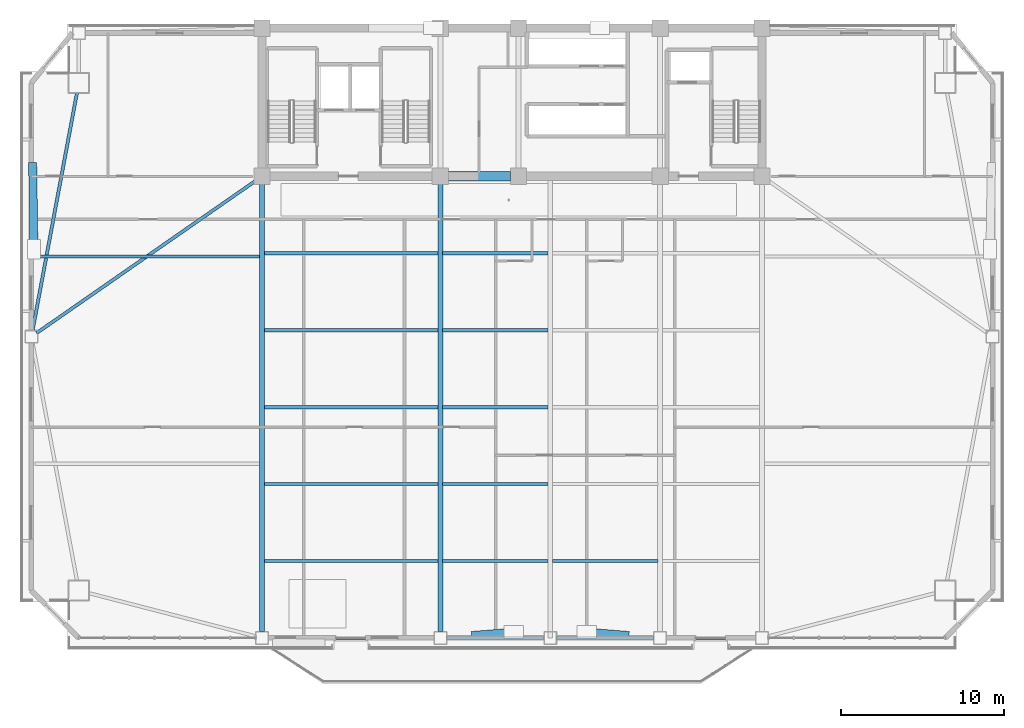
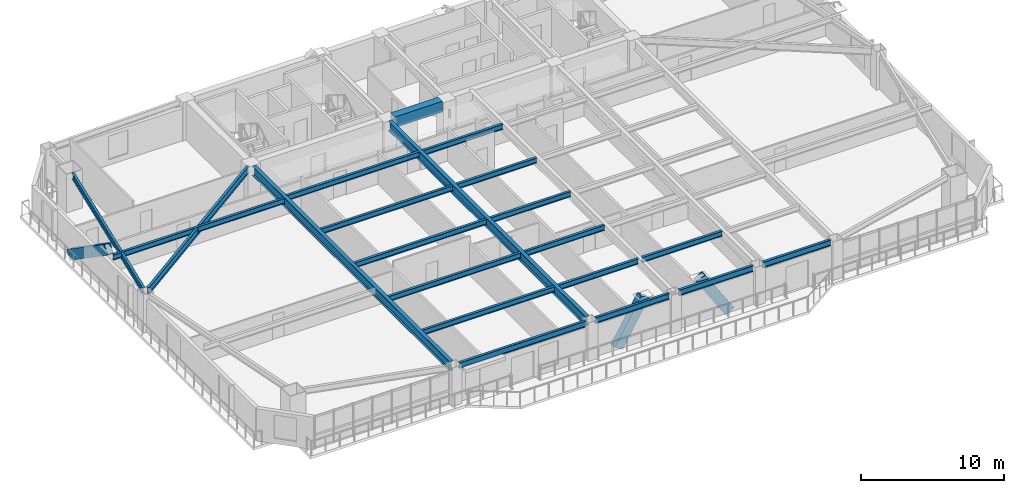
# One storey, part 3 of 16: 21 beams, 3 members.
"""IFC4 building model written with IfcOpenShell, lengths in metres."""

from ifc_helpers import new_model, si_unit, direction, frame, origin, origin_2d, place, context, subcontext, project, spatial, rectangle, hollow_rectangle, i_section, extrude, source, transform, mapped, material, material_profile, profile_set, type_object, element, save


model = new_model("IFC4")

# Units and contexts
model_context = context("Model", 3, precision=1e-05, world=origin(), true_north=direction((0.0, 1.0)))
body_context = subcontext(model_context, "Body", "Model", "MODEL_VIEW")
ifc_project = project(units=[si_unit("LENGTHUNIT", "METRE"), si_unit("AREAUNIT", "SQUARE_METRE"), si_unit("VOLUMEUNIT", "CUBIC_METRE"), si_unit("PLANEANGLEUNIT", "RADIAN"), si_unit("MASSUNIT", "GRAM", prefix="KILO")], contexts=[model_context])

# Site, building, storey
site_placement = place(None, origin())
site = spatial("IfcSite", under=ifc_project, at=site_placement, CompositionType="ELEMENT")
building_placement = place(site_placement, origin())
building = spatial("IfcBuilding", under=site, at=building_placement, Name="Giltprow Tower", CompositionType="ELEMENT")
storey_placement = place(building_placement, frame((0.0, 0.0, 163.199951171875)))
storey = spatial("IfcBuildingStorey", under=building, at=storey_placement, Name="L40", CompositionType="ELEMENT", Elevation=163.199951171875)

# Beams
ifc_material_1 = material(Name="Structural steel Q355B", Category="steel")
ifc_material_profile_1 = material_profile(ifc_material_1, i_section(OverallWidth=0.199951171875, OverallDepth=0.449951171875, WebThickness=0.009033203125, FlangeThickness=0.013916015625, at=origin_2d()), Name="HN 450x200x9x14")
ifc_profile_set_1 = profile_set([ifc_material_profile_1], Name="Structural steel Q355B")
beam_type_1 = type_object("IfcBeamType", Name="BM-JOIST-HN450", PredefinedType="JOIST", material=ifc_profile_set_1)
shared_shape_1 = source(origin(), body_context, "Body", "SweptSolid", [
    extrude(i_section(OverallWidth=0.199951171875, OverallDepth=0.449951171875, WebThickness=0.009033203125, FlangeThickness=0.013916015625, at=origin_2d()), origin(), (0.0, 0.0, 1.0), 10.659912109375),
])
for number, where, z_axis, x_axis, name in (
    (1, (19.9951171875, 13.822998046875, 3.045166015625), (1.0, 0.0, 0.0), (0.0, 1.0, 0.0), "L40 Composite Floor Joist 1-1"),
    (2, (19.9951171875, 18.549072265625, 3.045166015625), (1.0, 0.0, 0.0), (0.0, 1.0, 0.0), "L40 Composite Floor Joist 2-1"),
    (3, (19.9951171875, 23.27392578125, 3.045166015625), (1.0, 0.0, 0.0), (0.0, 1.0, 0.0), "L40 Composite Floor Joist 3-1"),
    (4, (19.9951171875, 27.9990234375, 3.045166015625), (1.0, 0.0, 0.0), (0.0, 1.0, 0.0), "L40 Composite Floor Joist 4-1"),
    (5, (19.9951171875, 32.72509765625, 3.045166015625), (1.0, 0.0, 0.0), (0.0, 1.0, 0.0), "L40 Composite Floor Joist 5-1"),
):
    element("IfcBeam", number, at=place(storey_placement, frame(where, z_axis=z_axis, x_axis=x_axis)), inside=storey, type_object=beam_type_1, Name=name, PredefinedType="JOIST", context=body_context, shape_type="MappedRepresentation", body=[
        mapped(shared_shape_1, transform((0.0, 0.0, 0.0), x_axis=(1.0, 0.0, 0.0), y_axis=(0.0, 1.0, 0.0), z_axis=(0.0, 0.0, 1.0), scale=1.0)),
    ])
shared_shape_2 = source(origin(), body_context, "Body", "SweptSolid", [
    extrude(i_section(OverallWidth=0.199951171875, OverallDepth=0.449951171875, WebThickness=0.009033203125, FlangeThickness=0.013916015625, at=origin_2d()), origin(), (0.0, 0.0, 1.0), 6.4599609375),
])
for number, where, z_axis, x_axis, name in (
    (6, (30.945068359375, 13.822998046875, 3.045166015625), (1.0, 0.0, 0.0), (0.0, 1.0, 0.0), "L40 Composite Floor Joist 1-2"),
    (7, (37.695068359375, 13.822998046875, 3.045166015625), (1.0, 0.0, 0.0), (0.0, 1.0, 0.0), "L40 Composite Floor Joist 1-3"),
    (8, (30.945068359375, 18.549072265625, 3.045166015625), (1.0, 0.0, 0.0), (0.0, 1.0, 0.0), "L40 Composite Floor Joist 2-2"),
    (9, (30.945068359375, 23.27392578125, 3.045166015625), (1.0, 0.0, 0.0), (0.0, 1.0, 0.0), "L40 Composite Floor Joist 3-2"),
    (10, (30.945068359375, 27.9990234375, 3.045166015625), (1.0, 0.0, 0.0), (0.0, 1.0, 0.0), "L40 Composite Floor Joist 4-2"),
    (11, (30.945068359375, 32.72509765625, 3.045166015625), (1.0, 0.0, 0.0), (0.0, 1.0, 0.0), "L40 Composite Floor Joist 5-2"),
):
    element("IfcBeam", number, at=place(storey_placement, frame(where, z_axis=z_axis, x_axis=x_axis)), inside=storey, type_object=beam_type_1, Name=name, PredefinedType="JOIST", context=body_context, shape_type="MappedRepresentation", body=[
        mapped(shared_shape_2, transform((0.0, 0.0, 0.0), x_axis=(1.0, 0.0, 0.0), y_axis=(0.0, 1.0, 0.0), z_axis=(0.0, 0.0, 1.0), scale=1.0)),
    ])
ifc_material_profile_2 = material_profile(ifc_material_1, i_section(OverallWidth=0.199951171875, OverallDepth=0.5, WebThickness=0.010009765625, FlangeThickness=0.01611328125, at=origin_2d()), Name="HN 500x200x10x16")
ifc_profile_set_2 = profile_set([ifc_material_profile_2], Name="Structural steel Q355B")
beam_type_2 = type_object("IfcBeamType", Name="BM-SPAN-HN500", PredefinedType="SPANDREL", material=ifc_profile_set_2)
shared_shape_3 = source(origin(), body_context, "Body", "SweptSolid", [
    extrude(i_section(OverallWidth=0.199951171875, OverallDepth=0.5, WebThickness=0.010009765625, FlangeThickness=0.01611328125, at=origin_2d()), origin(), (0.0, 0.0, 1.0), 10.179931640625),
])
beam_1_placement = place(storey_placement, frame((20.235107421875, 9.097900390625, 3.02001953125), z_axis=(1.0, 0.0, 0.0), x_axis=(0.0, 1.0, 0.0)))
element("IfcBeam", 12, at=beam_1_placement, inside=storey, type_object=beam_type_2, Name="L40 Perimeter Spandrel Beam S1-S2", PredefinedType="SPANDREL", context=body_context, shape_type="MappedRepresentation", body=[
    mapped(shared_shape_3, transform((0.0, 0.0, 0.0), x_axis=(1.0, 0.0, 0.0), y_axis=(0.0, 1.0, 0.0), z_axis=(0.0, 0.0, 1.0), scale=1.0)),
])
shared_shape_4 = source(origin(), body_context, "Body", "SweptSolid", [
    extrude(i_section(OverallWidth=0.199951171875, OverallDepth=0.5, WebThickness=0.010009765625, FlangeThickness=0.01611328125, at=origin_2d()), origin(), (0.0, 0.0, 1.0), 5.97998046875),
])
for number, where, z_axis, x_axis, name in (
    (13, (31.18505859375, 9.097900390625, 3.02001953125), (1.0, 0.0, 0.0), (0.0, 1.0, 0.0), "L40 Perimeter Spandrel Beam S2-S_MID"),
    (14, (37.93505859375, 9.097900390625, 3.02001953125), (1.0, 0.0, 0.0), (0.0, 1.0, 0.0), "L40 Perimeter Spandrel Beam S_MID-S3"),
):
    element("IfcBeam", number, at=place(storey_placement, frame(where, z_axis=z_axis, x_axis=x_axis)), inside=storey, type_object=beam_type_2, Name=name, PredefinedType="SPANDREL", context=body_context, shape_type="MappedRepresentation", body=[
        mapped(shared_shape_4, transform((0.0, 0.0, 0.0), x_axis=(1.0, 0.0, 0.0), y_axis=(0.0, 1.0, 0.0), z_axis=(0.0, 0.0, 1.0), scale=1.0)),
    ])
shared_shape_5 = source(origin(), body_context, "Body", "SweptSolid", [
    extrude(i_section(OverallWidth=0.199951171875, OverallDepth=0.5, WebThickness=0.010009765625, FlangeThickness=0.01611328125, at=origin_2d()), origin(), (0.0, 0.0, 1.0), 5.47998046875),
])
beam_2_placement = place(storey_placement, frame((44.68505859375, 9.097900390625, 3.02001953125), z_axis=(1.0, 0.0, 0.0), x_axis=(0.0, 1.0, 0.0)))
element("IfcBeam", 15, at=beam_2_placement, inside=storey, type_object=beam_type_2, Name="L40 Perimeter Spandrel Beam S3-S4", PredefinedType="SPANDREL", context=body_context, shape_type="MappedRepresentation", body=[
    mapped(shared_shape_5, transform((0.0, 0.0, 0.0), x_axis=(1.0, 0.0, 0.0), y_axis=(0.0, 1.0, 0.0), z_axis=(0.0, 0.0, 1.0), scale=1.0)),
])
ifc_material_2 = material(Name="Concrete C50", Category="concrete")
ifc_material_profile_3 = material_profile(ifc_material_2, rectangle(XDim=0.60009765625, YDim=0.89990234375, at=origin_2d()), Name="RC 900x600")
ifc_profile_set_3 = profile_set([ifc_material_profile_3], Name="Concrete C50")
beam_type_3 = type_object("IfcBeamType", Name="BM-CPL-RC900", PredefinedType="LINTEL", material=ifc_profile_set_3)
shared_shape_6 = source(origin(), body_context, "Body", "SweptSolid", [
    extrude(rectangle(XDim=0.60009765625, YDim=0.89990234375, at=origin_2d()), origin(), (0.0, 0.0, 1.0), 3.830078125),
])
beam_3_placement = place(storey_placement, frame((31.284912109375, 37.449951171875, 2.820068359375), z_axis=(1.0, 0.0, 0.0), x_axis=(0.0, 1.0, 0.0)))
element("IfcBeam", 16, at=beam_3_placement, inside=storey, type_object=beam_type_3, Name="L40 Core Coupling Beam CB-1", PredefinedType="LINTEL", context=body_context, shape_type="MappedRepresentation", body=[
    mapped(shared_shape_6, transform((0.0, 0.0, 0.0), x_axis=(1.0, 0.0, 0.0), y_axis=(0.0, 1.0, 0.0), z_axis=(0.0, 0.0, 1.0), scale=1.0)),
])
shared_shape_7 = source(origin(), body_context, "Body", "SweptSolid", [
    extrude(i_section(OverallWidth=0.199951171875, OverallDepth=0.5, WebThickness=0.010009765625, FlangeThickness=0.01611328125, at=origin_2d()), origin(), (0.0, 0.0, 1.0), 14.83837890625),
])
beam_4_placement = place(storey_placement, frame((8.47998046875, 42.56298828125, 3.02001953125), z_axis=(-0.183652712761, -0.982991190752, 0.0), x_axis=(0.982991190752, -0.183652712761, 0.0)))
element("IfcBeam", 17, at=beam_4_placement, inside=storey, type_object=beam_type_2, Name="L40 Perimeter Spandrel Beam MC_NW-W_MID", PredefinedType="SPANDREL", context=body_context, shape_type="MappedRepresentation", body=[
    mapped(shared_shape_7, transform((0.0, 0.0, 0.0), x_axis=(1.0, 0.0, 0.0), y_axis=(0.0, 1.0, 0.0), z_axis=(0.0, 0.0, 1.0), scale=1.0)),
])
ifc_material_profile_4 = material_profile(ifc_material_1, i_section(OverallWidth=0.300048828125, OverallDepth=0.800048828125, WebThickness=0.013916015625, FlangeThickness=0.02587890625, at=origin_2d()), Name="HN 800x300x14x26")
ifc_profile_set_4 = profile_set([ifc_material_profile_4], Name="Structural steel Q355B")
beam_type_4 = type_object("IfcBeamType", Name="BM-GIRD-HN800", PredefinedType="BEAM", material=ifc_profile_set_4)
shared_shape_8 = source(origin(), body_context, "Body", "SweptSolid", [
    extrude(i_section(OverallWidth=0.300048828125, OverallDepth=0.800048828125, WebThickness=0.013916015625, FlangeThickness=0.02587890625, at=origin_2d()), origin(), (0.0, 0.0, 1.0), 27.482177734375),
])
for number, where, z_axis, x_axis, name in (
    (18, (19.85009765625, 9.48291015625, 2.8701171875), (0.0, 1.0, 0.0), (-1.0, 0.0, 0.0), "L40 Primary Lease Girder S1"),
    (19, (30.800048828125, 9.48291015625, 2.8701171875), (0.0, 1.0, 0.0), (-1.0, 0.0, 0.0), "L40 Primary Lease Girder S2"),
):
    element("IfcBeam", number, at=place(storey_placement, frame(where, z_axis=z_axis, x_axis=x_axis)), inside=storey, type_object=beam_type_4, Name=name, PredefinedType="BEAM", context=body_context, shape_type="MappedRepresentation", body=[
        mapped(shared_shape_8, transform((0.0, 0.0, 0.0), x_axis=(1.0, 0.0, 0.0), y_axis=(0.0, 1.0, 0.0), z_axis=(0.0, 0.0, 1.0), scale=1.0)),
    ])
ifc_material_profile_5 = material_profile(ifc_material_1, i_section(OverallWidth=0.199951171875, OverallDepth=0.60009765625, WebThickness=0.010986328125, FlangeThickness=0.01708984375, at=origin_2d()), Name="HN 600x200x11x17")
ifc_profile_set_5 = profile_set([ifc_material_profile_5], Name="Structural steel Q355B")
beam_type_5 = type_object("IfcBeamType", Name="BM-GIRD-HN600", PredefinedType="BEAM", material=ifc_profile_set_5)
shared_shape_9 = source(origin(), body_context, "Body", "SweptSolid", [
    extrude(i_section(OverallWidth=0.199951171875, OverallDepth=0.60009765625, WebThickness=0.010986328125, FlangeThickness=0.01708984375, at=origin_2d()), origin(), (0.0, 0.0, 1.0), 16.384521484375),
])
beam_5_placement = place(storey_placement, frame((6.0, 27.819091796875, 2.969970703125), z_axis=(0.821015129257, 0.570906435005, 0.0), x_axis=(-0.570906435005, 0.821015129257, 0.0)))
element("IfcBeam", 20, at=beam_5_placement, inside=storey, type_object=beam_type_5, Name="L40 West Wing Primary Girder", PredefinedType="BEAM", context=body_context, shape_type="MappedRepresentation", body=[
    mapped(shared_shape_9, transform((0.0, 0.0, 0.0), x_axis=(1.0, 0.0, 0.0), y_axis=(0.0, 1.0, 0.0), z_axis=(0.0, 0.0, 1.0), scale=1.0)),
])
shared_shape_10 = source(origin(), body_context, "Body", "SweptSolid", [
    extrude(i_section(OverallWidth=0.199951171875, OverallDepth=0.449951171875, WebThickness=0.009033203125, FlangeThickness=0.013916015625, at=origin_2d()), origin(), (0.0, 0.0, 1.0), 13.801025390625),
])
beam_6_placement = place(storey_placement, frame((5.904052734375, 32.52490234375, 3.045166015625), z_axis=(1.0, 0.0, 0.0), x_axis=(0.0, 1.0, 0.0)))
element("IfcBeam", 21, at=beam_6_placement, inside=storey, type_object=beam_type_1, Name="L40 West Wing Floor Joist 2", PredefinedType="JOIST", context=body_context, shape_type="MappedRepresentation", body=[
    mapped(shared_shape_10, transform((0.0, 0.0, 0.0), x_axis=(1.0, 0.0, 0.0), y_axis=(0.0, 1.0, 0.0), z_axis=(0.0, 0.0, 1.0), scale=1.0)),
])

# Members
ifc_material_3 = material(Name="Structural steel Q420GJC", Category="steel")
ifc_material_profile_6 = material_profile(ifc_material_3, hollow_rectangle(XDim=0.5, YDim=0.800048828125, WallThickness=0.035888671875, at=origin_2d()), Name="RHS 800x500x36")
ifc_profile_set_6 = profile_set([ifc_material_profile_6], Name="Structural steel Q420GJC")
member_type = type_object("IfcMemberType", Name="MBR-MEGA-RHS800", PredefinedType="BRACE", material=ifc_profile_set_6)
shared_shape_11 = source(origin(), body_context, "Body", "SweptSolid", [
    extrude(hollow_rectangle(XDim=0.5, YDim=0.800048828125, WallThickness=0.035888671875, at=origin_2d()), origin(), (0.0, 0.0, 1.0), 4.16455078125),
])
for number, where, z_axis, x_axis, name in (
    (22, (33.050048828125, 9.27392578125, 0.0), (0.540274331149, 0.042267555638, 0.840426737343), (-0.077995186993, 0.996953735539, 0.0), "L40 Chevron Mega-Brace S-L"),
    (23, (42.050048828125, 9.27392578125, 0.0), (-0.540274331149, 0.042267555638, 0.840426737343), (-0.077995186993, -0.996953735539, 0.0), "L40 Chevron Mega-Brace S-R"),
):
    element("IfcMember", number, at=place(storey_placement, frame(where, z_axis=z_axis, x_axis=x_axis)), inside=storey, type_object=member_type, Name=name, PredefinedType="BRACE", context=body_context, shape_type="MappedRepresentation", body=[
        mapped(shared_shape_11, transform((0.0, 0.0, 0.0), x_axis=(1.0, 0.0, 0.0), y_axis=(0.0, 1.0, 0.0), z_axis=(0.0, 0.0, 1.0), scale=1.0)),
    ])
shared_shape_12 = source(origin(), body_context, "Body", "SweptSolid", [
    extrude(hollow_rectangle(XDim=0.5, YDim=0.800048828125, WallThickness=0.035888671875, at=origin_2d()), origin(), (0.0, 0.0, 1.0), 6.192626953125),
])
member_placement = place(storey_placement, frame((5.761962890625, 38.0791015625, 0.0), z_axis=(0.01277336211, -0.824867455007, 0.565181849399), x_axis=(0.99988012351, 0.01548349472, 0.0)))
element("IfcMember", 24, at=member_placement, inside=storey, type_object=member_type, Name="L40 Chevron Mega-Brace W-R", PredefinedType="BRACE", context=body_context, shape_type="MappedRepresentation", body=[
    mapped(shared_shape_12, transform((0.0, 0.0, 0.0), x_axis=(1.0, 0.0, 0.0), y_axis=(0.0, 1.0, 0.0), z_axis=(0.0, 0.0, 1.0), scale=1.0)),
])

save(model, "model.ifc")
